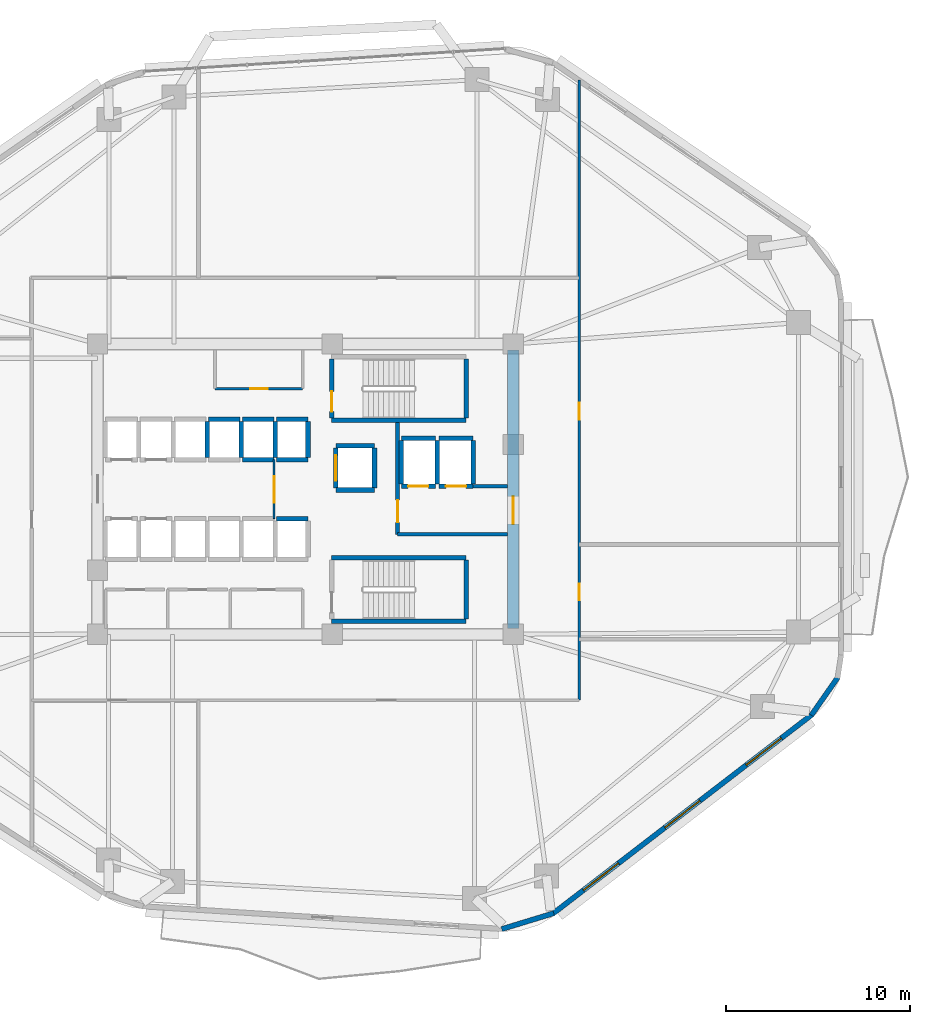
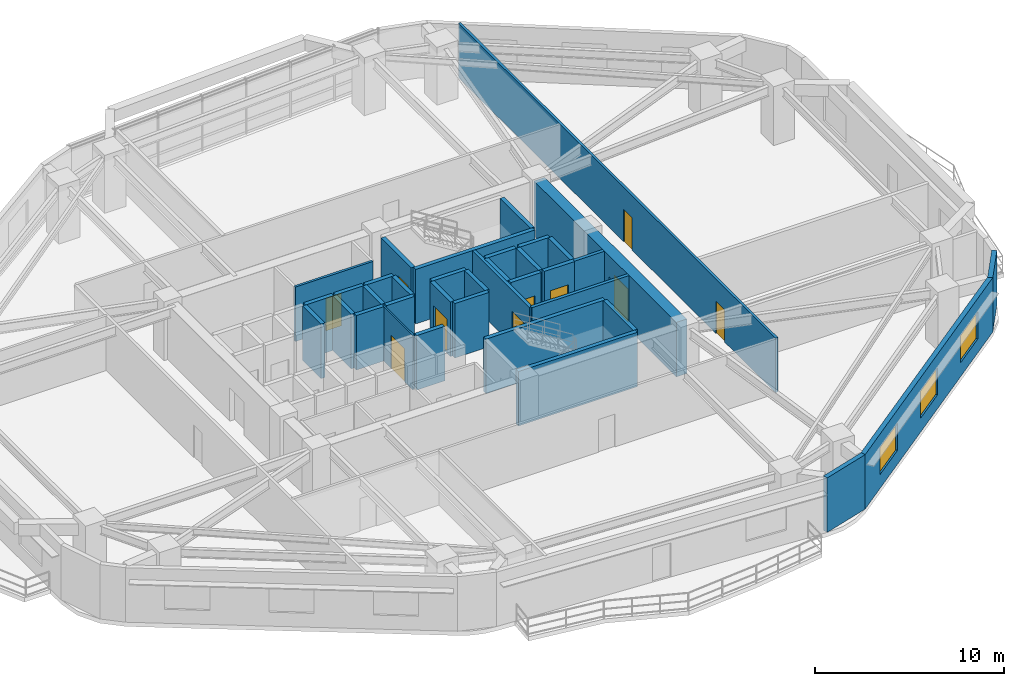
# One storey, part 7 of 11: 37 walls, 10 doors, 3 windows, 13 openings.
"""IFC4 building model written with IfcOpenShell, lengths in metres."""

import ifcopenshell
import ifcopenshell.guid

model = None  # the IFC model being written
_history = None  # IfcOwnerHistory: only IFC2X3 demands one
_inside = {}  # id of a spatial element -> (the spatial element, [elements in it])
_under = {}  # id of a project, library or spatial element -> (it, [spatial elements below it])
_declared = {}  # id of a project -> (the project, [libraries it declares])
_typed = {}  # id of a type object -> (the type object, [elements of that type])
_made_of = {}  # id of a material, layer set ... -> (it, [elements and type objects made of it])


def new_model(schema):
    """Start an empty IFC model of exactly this schema.

    Asked for "IFC4X3", IfcOpenShell would pick the latest addendum, in which some entities
    have other attributes; the version numbers below select the first issue.
    IFC2X3 requires an IfcOwnerHistory on every rooted entity: one is made here for all.
    """
    global model, _history
    if schema == "IFC4X3":
        model = ifcopenshell.file(schema_version=(4, 3, 0, 0))
    else:
        model = ifcopenshell.file(schema=schema)
    _inside.clear()
    _under.clear()
    _declared.clear()
    _typed.clear()
    _made_of.clear()
    _history = None
    if model.schema == "IFC2X3":
        org = make("IfcOrganization", Name="unknown")
        user = make(
            "IfcPersonAndOrganization",
            ThePerson=make("IfcPerson", FamilyName="unknown"),
            TheOrganization=org,
        )
        app = make(
            "IfcApplication",
            ApplicationDeveloper=org,
            Version="unknown",
            ApplicationFullName="unknown",
            ApplicationIdentifier="unknown",
        )
        _history = make(
            "IfcOwnerHistory",
            OwningUser=user,
            OwningApplication=app,
            ChangeAction="ADDED",
            CreationDate=0,
        )
    return model


def make(cls, **values):
    """One entity of the class cls with the attributes given. An attribute that is None is left unset."""
    return model.create_entity(
        cls, **{name: value for name, value in values.items() if value is not None}
    )


def rooted(cls, **values):
    """An entity with a GlobalId (a new one), such as an element, a storey or a relation."""
    return make(cls, GlobalId=ifcopenshell.guid.new(), OwnerHistory=_history, **values)


def si_unit(unit_type, name, prefix=None):
    """IfcSIUnit, for example si_unit("LENGTHUNIT", "METRE", prefix="MILLI")."""
    return make("IfcSIUnit", UnitType=unit_type, Prefix=prefix, Name=name)


def assignment(units):
    """IfcUnitAssignment: the units of a project."""
    return None if units is None else make("IfcUnitAssignment", Units=units)


def point(xyz):
    """IfcCartesianPoint."""
    return None if xyz is None else make("IfcCartesianPoint", Coordinates=xyz)


def direction(xyz):
    """IfcDirection."""
    return None if xyz is None else make("IfcDirection", DirectionRatios=xyz)


def frame(location, z_axis=None, x_axis=None):
    """IfcAxis2Placement3D, a coordinate frame: its origin and axes. An axis left out is left unset."""
    return make(
        "IfcAxis2Placement3D",
        Location=point(location),
        Axis=direction(z_axis),
        RefDirection=direction(x_axis),
    )


def frame_2d(location, x_axis=None):
    """IfcAxis2Placement2D, a coordinate frame in the plane: its origin and x axis."""
    return make(
        "IfcAxis2Placement2D", Location=point(location), RefDirection=direction(x_axis)
    )


def origin():
    """The frame at (0, 0, 0) with its axes left unset."""
    return frame((0.0, 0.0, 0.0))


def place(relative_to, where):
    """IfcLocalPlacement: puts the frame where relative to a parent placement (None: the world)."""
    return make(
        "IfcLocalPlacement", PlacementRelTo=relative_to, RelativePlacement=where
    )


def context(
    kind, dimensions, precision=None, world=None, true_north=None, identifier=None
):
    """IfcGeometricRepresentationContext, for example the 3D "Model" context."""
    return make(
        "IfcGeometricRepresentationContext",
        ContextIdentifier=identifier,
        ContextType=kind,
        CoordinateSpaceDimension=dimensions,
        Precision=precision,
        WorldCoordinateSystem=world,
        TrueNorth=true_north,
    )


def subcontext(parent, identifier, kind, view, scale=None):
    """IfcGeometricRepresentationSubContext, for example "Body" below "Model"."""
    return make(
        "IfcGeometricRepresentationSubContext",
        ContextIdentifier=identifier,
        ContextType=kind,
        ParentContext=parent,
        TargetScale=scale,
        TargetView=view,
    )


def project(units=None, contexts=None):
    """IfcProject with its units and contexts."""
    return rooted(
        "IfcProject",
        Name="project",
        RepresentationContexts=contexts,
        UnitsInContext=assignment(units),
    )


def spatial(cls, under=None, at=None, **own):
    """A site, building, storey or space (cls), placed at a placement, below another one or the project."""
    s = rooted(cls, ObjectPlacement=at, **own)
    if under is not None:
        _under.setdefault(under.id(), (under, []))[1].append(s)
    return s


def profile(cls, at=None, kind="AREA", **sizes):
    """A parametric profile (cls). Its sizes go by their IFC names, for example OverallWidth=200.0."""
    return make(cls, ProfileType=kind, Position=at, **sizes)


def rectangle(**sizes):
    """IfcRectangleProfileDef."""
    return profile("IfcRectangleProfileDef", **sizes)


def extrude(swept, where, along, depth):
    """IfcExtrudedAreaSolid: the profile swept, set in the frame where, extruded along a direction by depth."""
    return make(
        "IfcExtrudedAreaSolid",
        SweptArea=swept,
        Position=where,
        ExtrudedDirection=direction(along),
        Depth=depth,
    )


def shape(context_of_items, identifier, shape_type, items):
    """IfcShapeRepresentation: the items that make up one representation, for example the "Body"."""
    return make(
        "IfcShapeRepresentation",
        ContextOfItems=context_of_items,
        RepresentationIdentifier=identifier,
        RepresentationType=shape_type,
        Items=items,
    )


def material(Name=None, Category=None):
    """IfcMaterial."""
    return make("IfcMaterial", Name=Name, Category=Category)


def layer(
    of_material, thickness, ventilated=None, Name=None, Category=None, Priority=None
):
    """IfcMaterialLayer: one layer of a wall or slab, of a material (None: an air gap)."""
    return make(
        "IfcMaterialLayer",
        Material=of_material,
        LayerThickness=thickness,
        IsVentilated=ventilated,
        Name=Name,
        Category=Category,
        Priority=Priority,
    )


def layer_set(layers, Name=None):
    """IfcMaterialLayerSet."""
    return make("IfcMaterialLayerSet", MaterialLayers=layers, LayerSetName=Name)


def made_of(thing, what):
    """Note that an element or type object is made of a material, layer set ...; save() writes the relation."""
    if what is not None:
        _made_of.setdefault(what.id(), (what, []))[1].append(thing)
    return thing


def type_object(cls, material=None, **own):
    """A type object (cls), such as IfcWallType, which elements share."""
    return made_of(rooted(cls, **own), material)


def element(
    cls,
    number,
    at=None,
    inside=None,
    cuts=None,
    type_object=None,
    material=None,
    context=None,
    identifier="Body",
    shape_type=None,
    held_by="IfcProductDefinitionShape",
    body=None,
    shapes=None,
    **own,
):
    """One element of the class cls, such as IfcWall. Its Tag is "e" and its number.

    at: its placement. inside: the storey or other place that contains it. cuts: it is an
    opening in that element (IfcRelVoidsElement). A single representation is given by context,
    identifier, shape_type and body (its items); several are given by shapes. held_by: the class
    of the entity that holds the representations. save() writes the other relations.
    """
    e = rooted(cls, Tag="e%d" % number, ObjectPlacement=at, **own)
    if body is not None:
        shapes = [shape(context, identifier, shape_type, body)]
    if shapes is not None:
        e.Representation = make(held_by, Representations=shapes)
    if inside is not None:
        _inside.setdefault(inside.id(), (inside, []))[1].append(e)
    if cuts is not None:
        rooted(
            "IfcRelVoidsElement", RelatingBuildingElement=cuts, RelatedOpeningElement=e
        )
    if type_object is not None:
        _typed.setdefault(type_object.id(), (type_object, []))[1].append(e)
    return made_of(e, material)


def fill(opening, filler):
    """IfcRelFillsElement: the door or window that sits in an opening."""
    return rooted(
        "IfcRelFillsElement",
        RelatingOpeningElement=opening,
        RelatedBuildingElement=filler,
    )


def aggregate(whole, parts):
    """IfcRelAggregates: a whole, such as a stair, and the parts it consists of."""
    return rooted("IfcRelAggregates", RelatingObject=whole, RelatedObjects=parts)


def save(model, path):
    """Write the relations noted so far, then the file.

    IfcRelAggregates (storeys below a building ...), IfcRelContainedInSpatialStructure (elements
    in a storey), IfcRelDefinesByType, IfcRelAssociatesMaterial and IfcRelDeclares: one each for
    every whole, place, type object, material and project.
    """
    for whole, parts in _under.values():
        aggregate(whole, parts)
    for where, things in _inside.values():
        rooted(
            "IfcRelContainedInSpatialStructure",
            RelatedElements=things,
            RelatingStructure=where,
        )
    for kind, things in _typed.values():
        rooted("IfcRelDefinesByType", RelatedObjects=things, RelatingType=kind)
    for what, things in _made_of.values():
        rooted("IfcRelAssociatesMaterial", RelatedObjects=things, RelatingMaterial=what)
    for by, libraries in _declared.values():
        rooted("IfcRelDeclares", RelatingContext=by, RelatedDefinitions=libraries)
    model.write(path)


model = new_model("IFC4")

# Units and contexts
model_context = context("Model", 3, precision=1e-05, world=origin(), true_north=direction((0.0, 1.0)))
body_context = subcontext(model_context, "Body", "Model", "MODEL_VIEW")
ifc_project = project(units=[si_unit("LENGTHUNIT", "METRE"), si_unit("AREAUNIT", "SQUARE_METRE"), si_unit("VOLUMEUNIT", "CUBIC_METRE"), si_unit("PLANEANGLEUNIT", "RADIAN"), si_unit("MASSUNIT", "GRAM", prefix="KILO")], contexts=[model_context])

# Site, building, storey
site_placement = place(None, origin())
site = spatial("IfcSite", under=ifc_project, at=site_placement, CompositionType="ELEMENT")
building_placement = place(site_placement, origin())
building = spatial("IfcBuilding", under=site, at=building_placement, Name="Zulverin Broadcast Headquarters", CompositionType="ELEMENT")
storey_placement = place(building_placement, frame((0.0, 0.0, 32.60009765625)))
storey = spatial("IfcBuildingStorey", under=building, at=storey_placement, Name="L07", CompositionType="ELEMENT", Elevation=32.60009765625)

# Wall, opening, door
ifc_material_1 = material(Name="Concrete C60/75", Category="concrete")
ifc_layer_1 = layer(ifc_material_1, 0.64990234375, Name="Concrete C60/75", Category="concrete")
ifc_layer_set_1 = layer_set([ifc_layer_1], Name="Concrete C60/75")
wall_type_1 = type_object("IfcWallType", Name="WL-CORE-650", PredefinedType="SHEAR", material=ifc_layer_set_1)
wall_1_placement = place(storey_placement, frame((48.27490234375, 17.64990234375, 0.0), z_axis=(0.0, 0.0, 1.0), x_axis=(0.0, 1.0, 0.0)))
wall_1 = element("IfcWall", 1, at=wall_1_placement, inside=storey, type_object=wall_type_1, Name="L07 Core East Shear Wall", PredefinedType="SHEAR", context=body_context, shape_type="SweptSolid", body=[
    extrude(rectangle(XDim=15.10009765625, YDim=0.64990234375, at=frame_2d((7.550048828125, 0.0))), origin(), (0.0, 0.0, 1.0), 3.52490234375),
])
opening_1_placement = place(wall_1_placement, frame((5.64990234375, 0.0, 0.0)))
opening_1 = element("IfcOpeningElement", 2, at=opening_1_placement, cuts=wall_1, Name="Opening D-L07-CE1", PredefinedType="OPENING", context=body_context, shape_type="SweptSolid", body=[
    extrude(rectangle(XDim=1.5, YDim=2.14990234375, at=frame_2d((0.75, 1.074951171875))), frame((0.0, 0.3349609375, 0.0), z_axis=(0.0, -1.0, 0.0), x_axis=(1.0, 0.0, 0.0)), (0.0, 0.0, 1.0), 0.669921875),
])
ifc_material_2 = material(Name="Fire-rated glazed steel frame", Category="steel")
door_type_1 = type_object("IfcDoorType", Name="DR-COR-1500", OperationType="DOUBLE_DOOR_SINGLE_SWING", PredefinedType="DOOR", material=ifc_material_2)
door_1_placement = place(opening_1_placement, origin())
door_1 = element("IfcDoor", 3, at=door_1_placement, inside=storey, type_object=door_type_1, Name="L07 Firefighting Lobby East Corridor Door", OperationType="DOUBLE_DOOR_SINGLE_SWING", OverallHeight=2.14990234375, OverallWidth=1.5, PredefinedType="DOOR", context=body_context, shape_type="SweptSolid", body=[
    extrude(rectangle(XDim=1.5, YDim=2.14990234375, at=frame_2d((0.75, 1.074951171875))), frame((0.0, 0.02490234375, 0.0), z_axis=(0.0, -1.0, 0.0), x_axis=(1.0, 0.0, 0.0)), (0.0, 0.0, 1.0), 0.050048828125),
])
fill(opening_1, door_1)

# Wall, openings, windows
ifc_material_3 = material(Name="Insulated pale-metal clad concrete spandrel C40/50", Category="concrete")
ifc_layer_2 = layer(ifc_material_3, 0.280029296875, Name="Insulated pale-metal clad concrete spandrel C40/50", Category="concrete")
ifc_layer_set_2 = layer_set([ifc_layer_2], Name="Insulated pale-metal clad concrete spandrel C40/50")
wall_type_2 = type_object("IfcWallType", Name="WL-EXT-280", PredefinedType="STANDARD", material=ifc_layer_set_2)
wall_2_placement = place(storey_placement, frame((50.4287109375, 2.171630859375, 0.0), z_axis=(0.0, 0.0, 1.0), x_axis=(0.792937466367, 0.609303023488, 0.0)))
wall_2 = element("IfcWall", 4, at=wall_2_placement, inside=storey, type_object=wall_type_2, Name="L07 Pale-Metal Clad Spandrel Wall 2", PredefinedType="STANDARD", context=body_context, shape_type="SweptSolid", body=[
    extrude(rectangle(XDim=17.712890625, YDim=0.280029296875, at=frame_2d((8.8564453125, 0.0))), origin(), (0.0, 0.0, 1.0), 3.52490234375),
])
opening_2_placement = place(wall_2_placement, frame((2.08544921875, 0.0, 0.89990234375)))
opening_2 = element("IfcOpeningElement", 5, at=opening_2_placement, cuts=wall_2, Name="Opening W-L07-E21", PredefinedType="OPENING", context=body_context, shape_type="SweptSolid", body=[
    extrude(rectangle(XDim=2.39990234375, YDim=1.75, at=frame_2d((1.199951171875, 0.875))), frame((0.0, 0.14990234375, 0.0), z_axis=(0.0, -1.0, 0.0), x_axis=(1.0, 0.0, 0.0)), (0.0, 0.0, 1.0), 0.300048828125),
])
opening_3_placement = place(wall_2_placement, frame((7.656494140625, 0.0, 0.89990234375)))
opening_3 = element("IfcOpeningElement", 6, at=opening_3_placement, cuts=wall_2, Name="Opening W-L07-E22", PredefinedType="OPENING", context=body_context, shape_type="SweptSolid", body=[
    extrude(rectangle(XDim=2.39990234375, YDim=1.75, at=frame_2d((1.199951171875, 0.875))), frame((0.0, 0.14990234375, 0.0), z_axis=(0.0, -1.0, 0.0), x_axis=(1.0, 0.0, 0.0)), (0.0, 0.0, 1.0), 0.300048828125),
])
opening_4_placement = place(wall_2_placement, frame((13.227294921875, 0.0, 0.89990234375)))
opening_4 = element("IfcOpeningElement", 7, at=opening_4_placement, cuts=wall_2, Name="Opening W-L07-E23", PredefinedType="OPENING", context=body_context, shape_type="SweptSolid", body=[
    extrude(rectangle(XDim=2.39990234375, YDim=1.75, at=frame_2d((1.199951171875, 0.875))), frame((0.0, 0.14990234375, 0.0), z_axis=(0.0, -1.0, 0.0), x_axis=(1.0, 0.0, 0.0)), (0.0, 0.0, 1.0), 0.300048828125),
])
ifc_material_4 = material(Name="Pale anodized aluminium frame with solar-control low-E double glazing", Category="aluminium")
window_type = type_object("IfcWindowType", Name="WIN-RIB-2400", PartitioningType="SINGLE_PANEL", PredefinedType="WINDOW", material=ifc_material_4)
window_1_placement = place(opening_2_placement, origin())
window_1 = element("IfcWindow", 8, at=window_1_placement, inside=storey, type_object=window_type, Name="L07 Ribbon Glazing Window 2 1", OverallHeight=1.75, OverallWidth=2.39990234375, PartitioningType="SINGLE_PANEL", PredefinedType="WINDOW", context=body_context, shape_type="SweptSolid", body=[
    extrude(rectangle(XDim=2.39990234375, YDim=1.75, at=frame_2d((1.199951171875, 0.875))), frame((0.0, 0.030029296875, 0.0), z_axis=(0.0, -1.0, 0.0), x_axis=(1.0, 0.0, 0.0)), (0.0, 0.0, 1.0), 0.06005859375),
])
fill(opening_2, window_1)
window_2_placement = place(opening_3_placement, origin())
window_2 = element("IfcWindow", 9, at=window_2_placement, inside=storey, type_object=window_type, Name="L07 Ribbon Glazing Window 2 2", OverallHeight=1.75, OverallWidth=2.39990234375, PartitioningType="SINGLE_PANEL", PredefinedType="WINDOW", context=body_context, shape_type="SweptSolid", body=[
    extrude(rectangle(XDim=2.39990234375, YDim=1.75, at=frame_2d((1.199951171875, 0.875))), frame((0.0, 0.030029296875, 0.0), z_axis=(0.0, -1.0, 0.0), x_axis=(1.0, 0.0, 0.0)), (0.0, 0.0, 1.0), 0.06005859375),
])
fill(opening_3, window_2)
window_3_placement = place(opening_4_placement, origin())
window_3 = element("IfcWindow", 10, at=window_3_placement, inside=storey, type_object=window_type, Name="L07 Ribbon Glazing Window 2 3", OverallHeight=1.75, OverallWidth=2.39990234375, PartitioningType="SINGLE_PANEL", PredefinedType="WINDOW", context=body_context, shape_type="SweptSolid", body=[
    extrude(rectangle(XDim=2.39990234375, YDim=1.75, at=frame_2d((1.199951171875, 0.875))), frame((0.0, 0.030029296875, 0.0), z_axis=(0.0, -1.0, 0.0), x_axis=(1.0, 0.0, 0.0)), (0.0, 0.0, 1.0), 0.06005859375),
])
fill(opening_4, window_3)

# Walls
wall_3_placement = place(storey_placement, frame((47.649658203125, 1.3330078125, 0.0), z_axis=(0.0, 0.0, 1.0), x_axis=(0.956461287977, 0.291859220516, 0.0)))
element("IfcWall", 11, at=wall_3_placement, inside=storey, type_object=wall_type_2, Name="L07 Wind-Shaped Corner Spandrel Wall 1-1", PredefinedType="STANDARD", context=body_context, shape_type="SweptSolid", body=[
    extrude(rectangle(XDim=2.951904296875, YDim=0.280029296875, at=frame_2d((1.47607421875, 0.0))), origin(), (0.0, 0.0, 1.0), 3.52490234375),
])
wall_4_placement = place(storey_placement, frame((64.4443359375, 12.933349609375, 0.0), z_axis=(0.0, 0.0, 1.0), x_axis=(0.573176686443, 0.819431806875, 0.0)))
element("IfcWall", 12, at=wall_4_placement, inside=storey, type_object=wall_type_2, Name="L07 Wind-Shaped Corner Spandrel Wall 2-1", PredefinedType="STANDARD", context=body_context, shape_type="SweptSolid", body=[
    extrude(rectangle(XDim=2.524169921875, YDim=0.280029296875, at=frame_2d((1.26220703125, 0.0))), origin(), (0.0, 0.0, 1.0), 3.52490234375),
])

# Wall, opening, door
ifc_material_5 = material(Name="Concrete C40/50", Category="concrete")
ifc_layer_3 = layer(ifc_material_5, 0.199951171875, Name="Concrete C40/50", Category="concrete")
ifc_layer_set_3 = layer_set([ifc_layer_3], Name="Concrete C40/50")
wall_type_3 = type_object("IfcWallType", Name="WL-FFL-200", PredefinedType="SOLIDWALL", material=ifc_layer_set_3)
wall_5_placement = place(storey_placement, frame((42.0, 22.75, 0.0), z_axis=(0.0, 0.0, 1.0), x_axis=(0.0, 1.0, 0.0)))
wall_5 = element("IfcWall", 13, at=wall_5_placement, inside=storey, type_object=wall_type_3, Name="L07 Firefighting Lift Lobby West Wall", PredefinedType="SOLIDWALL", context=body_context, shape_type="SweptSolid", body=[
    extrude(rectangle(XDim=6.050048828125, YDim=0.199951171875, at=frame_2d((3.02490234375, 0.0))), origin(), (0.0, 0.0, 1.0), 3.52490234375),
])
opening_5_placement = place(wall_5_placement, frame((0.64990234375, 0.0, 0.0)))
opening_5 = element("IfcOpeningElement", 14, at=opening_5_placement, cuts=wall_5, Name="Opening D-L07-FFLW", PredefinedType="OPENING", context=body_context, shape_type="SweptSolid", body=[
    extrude(rectangle(XDim=1.199951171875, YDim=2.14990234375, at=frame_2d((0.60009765625, 1.074951171875))), frame((0.0, 0.10986328125, 0.0), z_axis=(0.0, -1.0, 0.0), x_axis=(1.0, 0.0, 0.0)), (0.0, 0.0, 1.0), 0.219970703125),
])
ifc_material_6 = material(Name="Fire-rated steel leaf and frame", Category="steel")
door_type_2 = type_object("IfcDoorType", Name="DR-FFL-1200", OperationType="SINGLE_SWING_RIGHT", PredefinedType="DOOR", material=ifc_material_6)
door_2_placement = place(opening_5_placement, origin())
door_2 = element("IfcDoor", 15, at=door_2_placement, inside=storey, type_object=door_type_2, Name="L07 Firefighting Lift Lobby Door", OperationType="SINGLE_SWING_RIGHT", OverallHeight=2.14990234375, OverallWidth=1.199951171875, PredefinedType="DOOR", context=body_context, shape_type="SweptSolid", body=[
    extrude(rectangle(XDim=1.199951171875, YDim=2.14990234375, at=frame_2d((0.60009765625, 1.074951171875))), frame((0.0, 0.02490234375, 0.0), z_axis=(0.0, -1.0, 0.0), x_axis=(1.0, 0.0, 0.0)), (0.0, 0.0, 1.0), 0.050048828125),
])
fill(opening_5, door_2)

# Walls
wall_6_placement = place(storey_placement, frame((42.0, 22.75, 0.0), z_axis=(0.0, 0.0, 1.0), x_axis=(1.0, 0.0, 0.0)))
element("IfcWall", 16, at=wall_6_placement, inside=storey, type_object=wall_type_3, Name="L07 Firefighting Lift Lobby South Wall", PredefinedType="SOLIDWALL", context=body_context, shape_type="SweptSolid", body=[
    extrude(rectangle(XDim=5.949951171875, YDim=0.199951171875, at=frame_2d((2.97509765625, 0.0))), origin(), (0.0, 0.0, 1.0), 3.52490234375),
])
wall_7_placement = place(storey_placement, frame((46.10009765625, 25.35009765625, 0.0), z_axis=(0.0, 0.0, 1.0), x_axis=(1.0, 0.0, 0.0)))
element("IfcWall", 17, at=wall_7_placement, inside=storey, type_object=wall_type_3, Name="L07 Firefighting Lift Lobby North Wall", PredefinedType="SOLIDWALL", context=body_context, shape_type="SweptSolid", body=[
    extrude(rectangle(XDim=1.849853515625, YDim=0.199951171875, at=frame_2d((0.9248046875, 0.0))), origin(), (0.0, 0.0, 1.0), 3.52490234375),
])

# Wall, opening, door
ifc_material_7 = material(Name="Fire-rated acoustic laminated glass screen", Category="glass")
ifc_layer_4 = layer(ifc_material_7, 0.10009765625, Name="Fire-rated acoustic laminated glass screen", Category="glass")
ifc_layer_set_4 = layer_set([ifc_layer_4], Name="Fire-rated acoustic laminated glass screen")
wall_type_4 = type_object("IfcWallType", Name="WL-GLAZ-100", PredefinedType="PARTITIONING", material=ifc_layer_set_4)
wall_8_placement = place(storey_placement, frame((35.300048828125, 23.60009765625, 0.0), z_axis=(0.0, 0.0, 1.0), x_axis=(0.0, 1.0, 0.0)))
wall_8 = element("IfcWall", 18, at=wall_8_placement, inside=storey, type_object=wall_type_4, Name="L07 Central Core Smoke Vestibule Screen", PredefinedType="PARTITIONING", context=body_context, shape_type="SweptSolid", body=[
    extrude(rectangle(XDim=3.199951171875, YDim=0.10009765625, at=frame_2d((1.60009765625, 0.0))), origin(), (0.0, 0.0, 1.0), 3.52490234375),
])
opening_6_placement = place(wall_8_placement, frame((0.85009765625, 0.0, 0.0)))
opening_6 = element("IfcOpeningElement", 19, at=opening_6_placement, cuts=wall_8, Name="Opening D-L07-CL2", PredefinedType="OPENING", context=body_context, shape_type="SweptSolid", body=[
    extrude(rectangle(XDim=1.449951171875, YDim=2.1201171875, at=frame_2d((0.72509765625, 1.06005859375))), frame((0.0, 0.06005859375, 0.0), z_axis=(0.0, -1.0, 0.0), x_axis=(1.0, 0.0, 0.0)), (0.0, 0.0, 1.0), 0.1201171875),
])
ifc_material_8 = material(Name="Fire-rated acoustic glazed double leaf", Category="glass")
door_type_3 = type_object("IfcDoorType", Name="DR-GLZ-1450", OperationType="DOUBLE_DOOR_SINGLE_SWING", PredefinedType="DOOR", material=ifc_material_8)
door_3_placement = place(opening_6_placement, origin())
door_3 = element("IfcDoor", 20, at=door_3_placement, inside=storey, type_object=door_type_3, Name="L07 Central Core Smoke Vestibule Door", OperationType="DOUBLE_DOOR_SINGLE_SWING", OverallHeight=2.1201171875, OverallWidth=1.449951171875, PredefinedType="DOOR", context=body_context, shape_type="SweptSolid", body=[
    extrude(rectangle(XDim=1.449951171875, YDim=2.1201171875, at=frame_2d((0.72509765625, 1.06005859375))), frame((0.0, 0.02490234375, 0.0), z_axis=(0.0, -1.0, 0.0), x_axis=(1.0, 0.0, 0.0)), (0.0, 0.0, 1.0), 0.050048828125),
])
fill(opening_6, door_3)

ifc_material_9 = material(Name="Fire-rated gypsum stud partition", Category="gypsum")
ifc_layer_5 = layer(ifc_material_9, 0.14990234375, Name="Fire-rated gypsum stud partition", Category="gypsum")
ifc_layer_set_5 = layer_set([ifc_layer_5], Name="Fire-rated gypsum stud partition")
wall_type_5 = type_object("IfcWallType", Name="WL-PART-150", PredefinedType="PARTITIONING", material=ifc_layer_set_5)
wall_9_placement = place(storey_placement, frame((32.10009765625, 30.64990234375, 0.0), z_axis=(0.0, 0.0, 1.0), x_axis=(1.0, 0.0, 0.0)))
wall_9 = element("IfcWall", 21, at=wall_9_placement, inside=storey, type_object=wall_type_5, Name="L07 Core Accessible WC & Electrical Riser Front Wall", PredefinedType="PARTITIONING", context=body_context, shape_type="SweptSolid", body=[
    extrude(rectangle(XDim=4.75, YDim=0.14990234375, at=frame_2d((2.375, 0.0))), origin(), (0.0, 0.0, 1.0), 3.52490234375),
])
opening_7_placement = place(wall_9_placement, frame((1.89990234375, 0.0, 0.0)))
opening_7 = element("IfcOpeningElement", 22, at=opening_7_placement, cuts=wall_9, Name="Opening D-L07-NC1", PredefinedType="OPENING", context=body_context, shape_type="SweptSolid", body=[
    extrude(rectangle(XDim=0.949951171875, YDim=2.10009765625, at=frame_2d((0.47509765625, 1.050048828125))), frame((0.0, 0.0849609375, 0.0), z_axis=(0.0, -1.0, 0.0), x_axis=(1.0, 0.0, 0.0)), (0.0, 0.0, 1.0), 0.169921875),
])
ifc_material_10 = material(Name="Fire-rated moisture-resistant laminate leaf", Category="wood")
door_type_4 = type_object("IfcDoorType", Name="DR-WC-950", OperationType="SINGLE_SWING_LEFT", PredefinedType="DOOR", material=ifc_material_10)
door_4_placement = place(opening_7_placement, origin())
door_4 = element("IfcDoor", 23, at=door_4_placement, inside=storey, type_object=door_type_4, Name="L07 Accessible WC & Electrical Riser Door", OperationType="SINGLE_SWING_LEFT", OverallHeight=2.10009765625, OverallWidth=0.949951171875, PredefinedType="DOOR", context=body_context, shape_type="SweptSolid", body=[
    extrude(rectangle(XDim=0.949951171875, YDim=2.10009765625, at=frame_2d((0.47509765625, 1.050048828125))), frame((0.0, 0.02490234375, 0.0), z_axis=(0.0, -1.0, 0.0), x_axis=(1.0, 0.0, 0.0)), (0.0, 0.0, 1.0), 0.050048828125),
])
fill(opening_7, door_4)

# Wall, openings, doors
wall_10_placement = place(storey_placement, frame((51.85009765625, 13.75, 0.0), z_axis=(0.0, 0.0, 1.0), x_axis=(0.0, 1.0, 0.0)))
wall_10 = element("IfcWall", 24, at=wall_10_placement, inside=storey, type_object=wall_type_5, Name="L07 Gallery Partition Wall CG-01", PredefinedType="PARTITIONING", context=body_context, shape_type="SweptSolid", body=[
    extrude(rectangle(XDim=33.6435546875, YDim=0.14990234375, at=frame_2d((16.82177734375, 0.0))), origin(), (0.0, 0.0, 1.0), 3.52490234375),
])
opening_8_placement = place(wall_10_placement, frame((5.425048828125, 0.0, 0.0)))
opening_8 = element("IfcOpeningElement", 25, at=opening_8_placement, cuts=wall_10, Name="Opening D-L07-06", PredefinedType="OPENING", context=body_context, shape_type="SweptSolid", body=[
    extrude(rectangle(XDim=0.89990234375, YDim=2.10009765625, at=frame_2d((0.449951171875, 1.050048828125))), frame((0.0, 0.0849609375, 0.0), z_axis=(0.0, -1.0, 0.0), x_axis=(1.0, 0.0, 0.0)), (0.0, 0.0, 1.0), 0.169921875),
])
opening_9_placement = place(wall_10_placement, frame((15.22509765625, 0.0, 0.0)))
opening_9 = element("IfcOpeningElement", 26, at=opening_9_placement, cuts=wall_10, Name="Opening D-L07-07", PredefinedType="OPENING", context=body_context, shape_type="SweptSolid", body=[
    extrude(rectangle(XDim=0.89990234375, YDim=2.10009765625, at=frame_2d((0.449951171875, 1.050048828125))), frame((0.0, 0.0849609375, 0.0), z_axis=(0.0, -1.0, 0.0), x_axis=(1.0, 0.0, 0.0)), (0.0, 0.0, 1.0), 0.169921875),
])
ifc_material_11 = material(Name="Fire-rated hardwood veneer timber leaf", Category="wood")
door_type_5 = type_object("IfcDoorType", Name="DR-ROOM-900", OperationType="SINGLE_SWING_RIGHT", PredefinedType="DOOR", material=ifc_material_11)
door_5_placement = place(opening_8_placement, origin())
door_5 = element("IfcDoor", 27, at=door_5_placement, inside=storey, type_object=door_type_5, Name="L07 Staff Cafe & Bar Door", OperationType="SINGLE_SWING_LEFT", OverallHeight=2.10009765625, OverallWidth=0.89990234375, PredefinedType="DOOR", context=body_context, shape_type="SweptSolid", body=[
    extrude(rectangle(XDim=0.89990234375, YDim=2.10009765625, at=frame_2d((0.449951171875, 1.050048828125))), frame((0.0, 0.02490234375, 0.0), z_axis=(0.0, -1.0, 0.0), x_axis=(1.0, 0.0, 0.0)), (0.0, 0.0, 1.0), 0.050048828125),
])
fill(opening_8, door_5)
door_6_placement = place(opening_9_placement, origin())
door_6 = element("IfcDoor", 28, at=door_6_placement, inside=storey, type_object=door_type_5, Name="L07 Tea Pantry Door", OperationType="SINGLE_SWING_RIGHT", OverallHeight=2.10009765625, OverallWidth=0.89990234375, PredefinedType="DOOR", context=body_context, shape_type="SweptSolid", body=[
    extrude(rectangle(XDim=0.89990234375, YDim=2.10009765625, at=frame_2d((0.449951171875, 1.050048828125))), frame((0.0, 0.02490234375, 0.0), z_axis=(0.0, -1.0, 0.0), x_axis=(1.0, 0.0, 0.0)), (0.0, 0.0, 1.0), 0.050048828125),
])
fill(opening_9, door_6)

# Wall
ifc_material_12 = material(Name="Concrete C50/60", Category="concrete")
ifc_layer_6 = layer(ifc_material_12, 0.25, Name="Concrete C50/60", Category="concrete")
ifc_layer_set_6 = layer_set([ifc_layer_6], Name="Concrete C50/60")
wall_type_6 = type_object("IfcWallType", Name="WL-SHAFT-250", PredefinedType="SHEAR", material=ifc_layer_set_6)
wall_11_placement = place(storey_placement, frame((38.425048828125, 28.925048828125, 0.0), z_axis=(0.0, 0.0, 1.0), x_axis=(1.0, 0.0, 0.0)))
element("IfcWall", 29, at=wall_11_placement, inside=storey, type_object=wall_type_6, Name="L07 ST-1 Enclosure Wall S", PredefinedType="SHEAR", context=body_context, shape_type="SweptSolid", body=[
    extrude(rectangle(XDim=7.300048828125, YDim=0.25, at=frame_2d((3.64990234375, 0.0))), origin(), (0.0, 0.0, 1.0), 3.52490234375),
])

# Wall, opening, door
wall_12_placement = place(storey_placement, frame((38.425048828125, 29.050048828125, 0.0), z_axis=(0.0, 0.0, 1.0), x_axis=(0.0, 1.0, 0.0)))
wall_12 = element("IfcWall", 30, at=wall_12_placement, inside=storey, type_object=wall_type_6, Name="L07 ST-1 Enclosure Wall W", PredefinedType="SHEAR", context=body_context, shape_type="SweptSolid", body=[
    extrude(rectangle(XDim=3.199951171875, YDim=0.25, at=frame_2d((1.60009765625, 0.0))), origin(), (0.0, 0.0, 1.0), 3.52490234375),
])
opening_10_placement = place(wall_12_placement, frame((0.35009765625, 0.0, 0.0)))
opening_10 = element("IfcOpeningElement", 31, at=opening_10_placement, cuts=wall_12, Name="Opening D-L07-ST-1", PredefinedType="OPENING", context=body_context, shape_type="SweptSolid", body=[
    extrude(rectangle(XDim=1.10009765625, YDim=2.14990234375, at=frame_2d((0.550048828125, 1.074951171875))), frame((0.0, 0.135009765625, 0.0), z_axis=(0.0, -1.0, 0.0), x_axis=(1.0, 0.0, 0.0)), (0.0, 0.0, 1.0), 0.27001953125),
])
door_type_6 = type_object("IfcDoorType", Name="DR-STAIR-1100", OperationType="SINGLE_SWING_LEFT", PredefinedType="DOOR", material=ifc_material_6)
door_7_placement = place(opening_10_placement, origin())
door_7 = element("IfcDoor", 32, at=door_7_placement, inside=storey, type_object=door_type_6, Name="L07 Exit Stair ST-1 Fire Door", OperationType="SINGLE_SWING_LEFT", OverallHeight=2.14990234375, OverallWidth=1.10009765625, PredefinedType="DOOR", context=body_context, shape_type="SweptSolid", body=[
    extrude(rectangle(XDim=1.10009765625, YDim=2.14990234375, at=frame_2d((0.550048828125, 1.074951171875))), frame((0.0, 0.02490234375, 0.0), z_axis=(0.0, -1.0, 0.0), x_axis=(1.0, 0.0, 0.0)), (0.0, 0.0, 1.0), 0.050048828125),
])
fill(opening_10, door_7)

# Walls
wall_13_placement = place(storey_placement, frame((45.72509765625, 29.050048828125, 0.0), z_axis=(0.0, 0.0, 1.0), x_axis=(0.0, 1.0, 0.0)))
element("IfcWall", 33, at=wall_13_placement, inside=storey, type_object=wall_type_6, Name="L07 ST-1 Enclosure Wall E", PredefinedType="SHEAR", context=body_context, shape_type="SweptSolid", body=[
    extrude(rectangle(XDim=3.199951171875, YDim=0.25, at=frame_2d((1.60009765625, 0.0))), origin(), (0.0, 0.0, 1.0), 3.52490234375),
])
for number, where, z_axis, x_axis, name in (
    (34, (38.425048828125, 18.02490234375, 0.0), (0.0, 0.0, 1.0), (1.0, 0.0, 0.0), "L07 ST-2 Enclosure Wall S"),
    (35, (38.425048828125, 21.47509765625, 0.0), (0.0, 0.0, 1.0), (1.0, 0.0, 0.0), "L07 ST-2 Enclosure Wall N"),
):
    element("IfcWall", number, at=place(storey_placement, frame(where, z_axis=z_axis, x_axis=x_axis)), inside=storey, type_object=wall_type_6, Name=name, PredefinedType="SHEAR", context=body_context, shape_type="SweptSolid", body=[
        extrude(rectangle(XDim=7.300048828125, YDim=0.25, at=frame_2d((3.64990234375, 0.0))), origin(), (0.0, 0.0, 1.0), 3.52490234375),
    ])
wall_14_placement = place(storey_placement, frame((45.72509765625, 18.14990234375, 0.0), z_axis=(0.0, 0.0, 1.0), x_axis=(0.0, 1.0, 0.0)))
element("IfcWall", 36, at=wall_14_placement, inside=storey, type_object=wall_type_6, Name="L07 ST-2 Enclosure Wall E", PredefinedType="SHEAR", context=body_context, shape_type="SweptSolid", body=[
    extrude(rectangle(XDim=3.2001953125, YDim=0.25, at=frame_2d((1.60009765625, 0.0))), origin(), (0.0, 0.0, 1.0), 3.52490234375),
])
wall_15_placement = place(storey_placement, frame((35.419921875, 23.60009765625, 0.0), z_axis=(0.0, 0.0, 1.0), x_axis=(1.0, 0.0, 0.0)))
element("IfcWall", 37, at=wall_15_placement, inside=storey, type_object=wall_type_6, Name="L07 Lift PL-M4 Shaft Wall N", PredefinedType="SHEAR", context=body_context, shape_type="SweptSolid", body=[
    extrude(rectangle(XDim=1.719970703125, YDim=0.25, at=frame_2d((0.85986328125, 0.0))), origin(), (0.0, 0.0, 1.0), 3.52490234375),
])
wall_16_placement = place(storey_placement, frame((31.679931640625, 26.919921875, 0.0), z_axis=(0.0, 0.0, 1.0), x_axis=(0.0, 1.0, 0.0)))
element("IfcWall", 38, at=wall_16_placement, inside=storey, type_object=wall_type_6, Name="L07 Lift PL-H1 Shaft Wall E", PredefinedType="SHEAR", context=body_context, shape_type="SweptSolid", body=[
    extrude(rectangle(XDim=1.9599609375, YDim=0.25, at=frame_2d((0.97998046875, 0.0))), origin(), (0.0, 0.0, 1.0), 3.52490234375),
])
wall_17_placement = place(storey_placement, frame((31.739990234375, 29.0, 0.0), z_axis=(0.0, 0.0, 1.0), x_axis=(1.0, 0.0, 0.0)))
element("IfcWall", 39, at=wall_17_placement, inside=storey, type_object=wall_type_6, Name="L07 Lift PL-H2 Shaft Wall N", PredefinedType="SHEAR", context=body_context, shape_type="SweptSolid", body=[
    extrude(rectangle(XDim=1.719970703125, YDim=0.25, at=frame_2d((0.85986328125, 0.0))), origin(), (0.0, 0.0, 1.0), 3.52490234375),
])
wall_18_placement = place(storey_placement, frame((33.52001953125, 26.919921875, 0.0), z_axis=(0.0, 0.0, 1.0), x_axis=(0.0, 1.0, 0.0)))
element("IfcWall", 40, at=wall_18_placement, inside=storey, type_object=wall_type_6, Name="L07 Lift PL-H2 Shaft Wall E", PredefinedType="SHEAR", context=body_context, shape_type="SweptSolid", body=[
    extrude(rectangle(XDim=1.9599609375, YDim=0.25, at=frame_2d((0.97998046875, 0.0))), origin(), (0.0, 0.0, 1.0), 3.52490234375),
])
for number, where, z_axis, x_axis, name in (
    (41, (33.580078125, 26.800048828125, 0.0), (0.0, 0.0, 1.0), (1.0, 0.0, 0.0), "L07 Lift PL-H3 Shaft Wall S"),
    (42, (33.580078125, 29.0, 0.0), (0.0, 0.0, 1.0), (1.0, 0.0, 0.0), "L07 Lift PL-H3 Shaft Wall N"),
):
    element("IfcWall", number, at=place(storey_placement, frame(where, z_axis=z_axis, x_axis=x_axis)), inside=storey, type_object=wall_type_6, Name=name, PredefinedType="SHEAR", context=body_context, shape_type="SweptSolid", body=[
        extrude(rectangle(XDim=1.719970703125, YDim=0.25, at=frame_2d((0.85986328125, 0.0))), origin(), (0.0, 0.0, 1.0), 3.52490234375),
    ])
wall_19_placement = place(storey_placement, frame((35.360107421875, 26.919921875, 0.0), z_axis=(0.0, 0.0, 1.0), x_axis=(0.0, 1.0, 0.0)))
element("IfcWall", 43, at=wall_19_placement, inside=storey, type_object=wall_type_6, Name="L07 Lift PL-H3 Shaft Wall E", PredefinedType="SHEAR", context=body_context, shape_type="SweptSolid", body=[
    extrude(rectangle(XDim=1.9599609375, YDim=0.25, at=frame_2d((0.97998046875, 0.0))), origin(), (0.0, 0.0, 1.0), 3.52490234375),
])
for number, where, z_axis, x_axis, name in (
    (44, (35.419921875, 26.800048828125, 0.0), (0.0, 0.0, 1.0), (1.0, 0.0, 0.0), "L07 Lift PL-H4 Shaft Wall S"),
    (45, (35.419921875, 29.0, 0.0), (0.0, 0.0, 1.0), (1.0, 0.0, 0.0), "L07 Lift PL-H4 Shaft Wall N"),
):
    element("IfcWall", number, at=place(storey_placement, frame(where, z_axis=z_axis, x_axis=x_axis)), inside=storey, type_object=wall_type_6, Name=name, PredefinedType="SHEAR", context=body_context, shape_type="SweptSolid", body=[
        extrude(rectangle(XDim=1.719970703125, YDim=0.25, at=frame_2d((0.85986328125, 0.0))), origin(), (0.0, 0.0, 1.0), 3.52490234375),
    ])
wall_20_placement = place(storey_placement, frame((37.139892578125, 26.919921875, 0.0), z_axis=(0.0, 0.0, 1.0), x_axis=(0.0, 1.0, 0.0)))
element("IfcWall", 46, at=wall_20_placement, inside=storey, type_object=wall_type_6, Name="L07 Lift PL-H4 Shaft Wall E", PredefinedType="SHEAR", context=body_context, shape_type="SweptSolid", body=[
    extrude(rectangle(XDim=1.9599609375, YDim=0.25, at=frame_2d((0.97998046875, 0.0))), origin(), (0.0, 0.0, 1.0), 3.52490234375),
])

# Wall, opening, door
wall_21_placement = place(storey_placement, frame((42.199951171875, 25.35009765625, 0.0), z_axis=(0.0, 0.0, 1.0), x_axis=(1.0, 0.0, 0.0)))
wall_21 = element("IfcWall", 47, at=wall_21_placement, inside=storey, type_object=wall_type_6, Name="L07 Lift FFL-1 Shaft Wall S", PredefinedType="SHEAR", context=body_context, shape_type="SweptSolid", body=[
    extrude(rectangle(XDim=1.85009765625, YDim=0.25, at=frame_2d((0.925048828125, 0.0))), origin(), (0.0, 0.0, 1.0), 3.52490234375),
])
opening_11_placement = place(wall_21_placement, frame((0.375, 0.0, 0.0)))
opening_11 = element("IfcOpeningElement", 48, at=opening_11_placement, cuts=wall_21, Name="Opening LD-FFL-1-L07", PredefinedType="OPENING", context=body_context, shape_type="SweptSolid", body=[
    extrude(rectangle(XDim=1.10009765625, YDim=2.14990234375, at=frame_2d((0.550048828125, 1.074951171875))), frame((0.0, 0.135009765625, 0.0), z_axis=(0.0, -1.0, 0.0), x_axis=(1.0, 0.0, 0.0)), (0.0, 0.0, 1.0), 0.27001953125),
])
ifc_material_13 = material(Name="Fire-rated stainless landing door", Category="steel")
door_type_7 = type_object("IfcDoorType", Name="LD-FFL-1100", OperationType="DOUBLE_DOOR_SLIDING", PredefinedType="DOOR", material=ifc_material_13)
door_8_placement = place(opening_11_placement, origin())
door_8 = element("IfcDoor", 49, at=door_8_placement, inside=storey, type_object=door_type_7, Name="L07 Lift FFL-1 Sliding Landing Door", OperationType="DOUBLE_DOOR_SLIDING", OverallHeight=2.14990234375, OverallWidth=1.10009765625, PredefinedType="DOOR", context=body_context, shape_type="SweptSolid", body=[
    extrude(rectangle(XDim=1.10009765625, YDim=2.14990234375, at=frame_2d((0.550048828125, 1.074951171875))), frame((0.0, 0.02490234375, 0.0), z_axis=(0.0, -1.0, 0.0), x_axis=(1.0, 0.0, 0.0)), (0.0, 0.0, 1.0), 0.050048828125),
])
fill(opening_11, door_8)

# Walls
wall_22_placement = place(storey_placement, frame((42.199951171875, 27.949951171875, 0.0), z_axis=(0.0, 0.0, 1.0), x_axis=(1.0, 0.0, 0.0)))
element("IfcWall", 50, at=wall_22_placement, inside=storey, type_object=wall_type_6, Name="L07 Lift FFL-1 Shaft Wall N", PredefinedType="SHEAR", context=body_context, shape_type="SweptSolid", body=[
    extrude(rectangle(XDim=1.85009765625, YDim=0.25, at=frame_2d((0.925048828125, 0.0))), origin(), (0.0, 0.0, 1.0), 3.52490234375),
])
for number, where, z_axis, x_axis, name in (
    (51, (42.199951171875, 25.469970703125, 0.0), (0.0, 0.0, 1.0), (0.0, 1.0, 0.0), "L07 Lift FFL-1 Shaft Wall W"),
    (52, (44.14990234375, 25.469970703125, 0.0), (0.0, 0.0, 1.0), (0.0, 1.0, 0.0), "L07 Lift FFL-1 Shaft Wall E"),
):
    element("IfcWall", number, at=place(storey_placement, frame(where, z_axis=z_axis, x_axis=x_axis)), inside=storey, type_object=wall_type_6, Name=name, PredefinedType="SHEAR", context=body_context, shape_type="SweptSolid", body=[
        extrude(rectangle(XDim=2.360107421875, YDim=0.25, at=frame_2d((1.18017578125, 0.0))), origin(), (0.0, 0.0, 1.0), 3.52490234375),
    ])

# Wall, opening, door
wall_23_placement = place(storey_placement, frame((44.25, 25.35009765625, 0.0), z_axis=(0.0, 0.0, 1.0), x_axis=(1.0, 0.0, 0.0)))
wall_23 = element("IfcWall", 53, at=wall_23_placement, inside=storey, type_object=wall_type_6, Name="L07 Lift FFL-2 Shaft Wall S", PredefinedType="SHEAR", context=body_context, shape_type="SweptSolid", body=[
    extrude(rectangle(XDim=1.85009765625, YDim=0.25, at=frame_2d((0.925048828125, 0.0))), origin(), (0.0, 0.0, 1.0), 3.52490234375),
])
opening_12_placement = place(wall_23_placement, frame((0.375, 0.0, 0.0)))
opening_12 = element("IfcOpeningElement", 54, at=opening_12_placement, cuts=wall_23, Name="Opening LD-FFL-2-L07", PredefinedType="OPENING", context=body_context, shape_type="SweptSolid", body=[
    extrude(rectangle(XDim=1.10009765625, YDim=2.14990234375, at=frame_2d((0.550048828125, 1.074951171875))), frame((0.0, 0.135009765625, 0.0), z_axis=(0.0, -1.0, 0.0), x_axis=(1.0, 0.0, 0.0)), (0.0, 0.0, 1.0), 0.27001953125),
])
door_9_placement = place(opening_12_placement, origin())
door_9 = element("IfcDoor", 55, at=door_9_placement, inside=storey, type_object=door_type_7, Name="L07 Lift FFL-2 Sliding Landing Door", OperationType="DOUBLE_DOOR_SLIDING", OverallHeight=2.14990234375, OverallWidth=1.10009765625, PredefinedType="DOOR", context=body_context, shape_type="SweptSolid", body=[
    extrude(rectangle(XDim=1.10009765625, YDim=2.14990234375, at=frame_2d((0.550048828125, 1.074951171875))), frame((0.0, 0.02490234375, 0.0), z_axis=(0.0, -1.0, 0.0), x_axis=(1.0, 0.0, 0.0)), (0.0, 0.0, 1.0), 0.050048828125),
])
fill(opening_12, door_9)

# Walls
wall_24_placement = place(storey_placement, frame((44.25, 27.949951171875, 0.0), z_axis=(0.0, 0.0, 1.0), x_axis=(1.0, 0.0, 0.0)))
element("IfcWall", 56, at=wall_24_placement, inside=storey, type_object=wall_type_6, Name="L07 Lift FFL-2 Shaft Wall N", PredefinedType="SHEAR", context=body_context, shape_type="SweptSolid", body=[
    extrude(rectangle(XDim=1.85009765625, YDim=0.25, at=frame_2d((0.925048828125, 0.0))), origin(), (0.0, 0.0, 1.0), 3.52490234375),
])
wall_25_placement = place(storey_placement, frame((46.10009765625, 25.469970703125, 0.0), z_axis=(0.0, 0.0, 1.0), x_axis=(0.0, 1.0, 0.0)))
element("IfcWall", 57, at=wall_25_placement, inside=storey, type_object=wall_type_6, Name="L07 Lift FFL-2 Shaft Wall E", PredefinedType="SHEAR", context=body_context, shape_type="SweptSolid", body=[
    extrude(rectangle(XDim=2.360107421875, YDim=0.25, at=frame_2d((1.18017578125, 0.0))), origin(), (0.0, 0.0, 1.0), 3.52490234375),
])
for number, where, z_axis, x_axis, name in (
    (58, (38.64990234375, 25.14990234375, 0.0), (0.0, 0.0, 1.0), (1.0, 0.0, 0.0), "L07 Lift SVL-1 Shaft Wall S"),
    (59, (38.64990234375, 27.550048828125, 0.0), (0.0, 0.0, 1.0), (1.0, 0.0, 0.0), "L07 Lift SVL-1 Shaft Wall N"),
):
    element("IfcWall", number, at=place(storey_placement, frame(where, z_axis=z_axis, x_axis=x_axis)), inside=storey, type_object=wall_type_6, Name=name, PredefinedType="SHEAR", context=body_context, shape_type="SweptSolid", body=[
        extrude(rectangle(XDim=2.10009765625, YDim=0.25, at=frame_2d((1.050048828125, 0.0))), origin(), (0.0, 0.0, 1.0), 3.52490234375),
    ])

# Wall, opening, door
wall_26_placement = place(storey_placement, frame((38.64990234375, 25.27001953125, 0.0), z_axis=(0.0, 0.0, 1.0), x_axis=(0.0, 1.0, 0.0)))
wall_26 = element("IfcWall", 60, at=wall_26_placement, inside=storey, type_object=wall_type_6, Name="L07 Lift SVL-1 Shaft Wall W", PredefinedType="SHEAR", context=body_context, shape_type="SweptSolid", body=[
    extrude(rectangle(XDim=2.159912109375, YDim=0.25, at=frame_2d((1.080078125, 0.0))), origin(), (0.0, 0.0, 1.0), 3.52490234375),
])
opening_13_placement = place(wall_26_placement, frame((0.3798828125, 0.0, 0.0)))
opening_13 = element("IfcOpeningElement", 61, at=opening_13_placement, cuts=wall_26, Name="Opening LD-SVL-1-L07", PredefinedType="OPENING", context=body_context, shape_type="SweptSolid", body=[
    extrude(rectangle(XDim=1.39990234375, YDim=2.199951171875, at=frame_2d((0.699951171875, 1.10009765625))), frame((0.0, 0.135009765625, 0.0), z_axis=(0.0, -1.0, 0.0), x_axis=(1.0, 0.0, 0.0)), (0.0, 0.0, 1.0), 0.27001953125),
])
ifc_material_14 = material(Name="Heavy-duty stainless landing door", Category="steel")
door_type_8 = type_object("IfcDoorType", Name="LD-GOODS-1400", OperationType="DOUBLE_DOOR_SLIDING", PredefinedType="DOOR", material=ifc_material_14)
door_10_placement = place(opening_13_placement, origin())
door_10 = element("IfcDoor", 62, at=door_10_placement, inside=storey, type_object=door_type_8, Name="L07 Lift SVL-1 Sliding Landing Door", OperationType="DOUBLE_DOOR_SLIDING", OverallHeight=2.199951171875, OverallWidth=1.39990234375, PredefinedType="DOOR", context=body_context, shape_type="SweptSolid", body=[
    extrude(rectangle(XDim=1.39990234375, YDim=2.199951171875, at=frame_2d((0.699951171875, 1.10009765625))), frame((0.0, 0.02490234375, 0.0), z_axis=(0.0, -1.0, 0.0), x_axis=(1.0, 0.0, 0.0)), (0.0, 0.0, 1.0), 0.050048828125),
])
fill(opening_13, door_10)

# Wall
wall_27_placement = place(storey_placement, frame((40.75, 25.27001953125, 0.0), z_axis=(0.0, 0.0, 1.0), x_axis=(0.0, 1.0, 0.0)))
element("IfcWall", 63, at=wall_27_placement, inside=storey, type_object=wall_type_6, Name="L07 Lift SVL-1 Shaft Wall E", PredefinedType="SHEAR", context=body_context, shape_type="SweptSolid", body=[
    extrude(rectangle(XDim=2.159912109375, YDim=0.25, at=frame_2d((1.080078125, 0.0))), origin(), (0.0, 0.0, 1.0), 3.52490234375),
])

save(model, "model.ifc")
